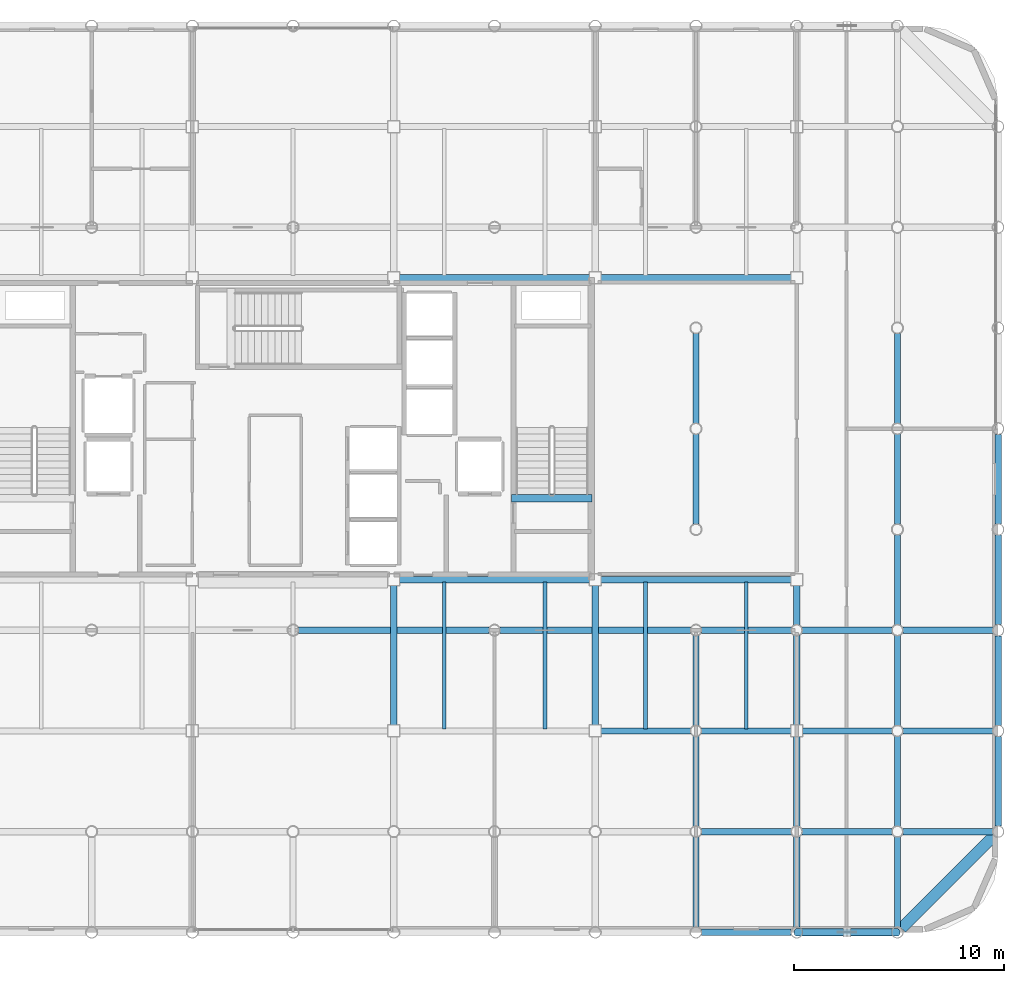
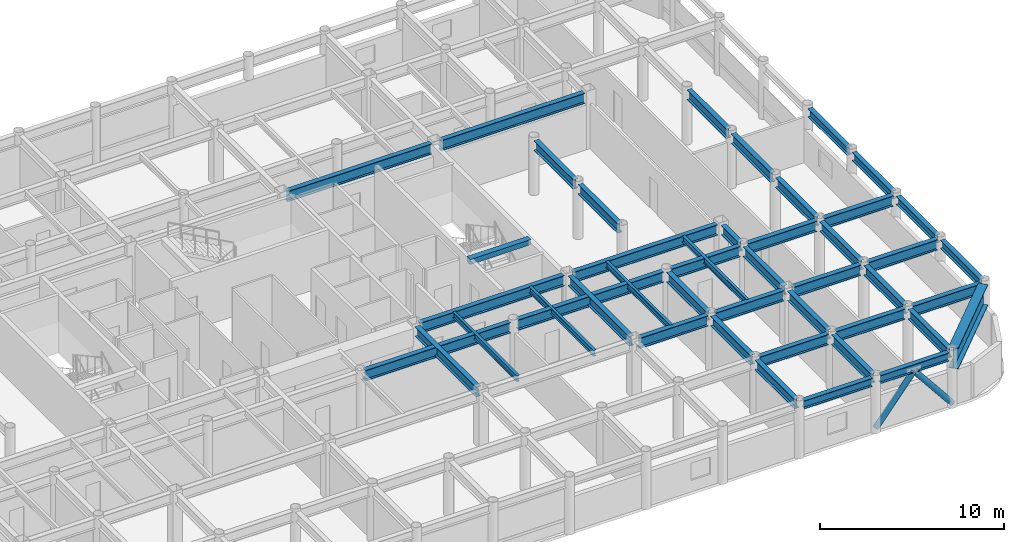
# One storey, part 9 of 21: 45 beams, 2 members.
"""IFC4 building model written with IfcOpenShell, lengths in metres."""

from ifc_helpers import new_model, si_unit, direction, frame, origin, origin_2d, place, context, subcontext, project, spatial, rectangle, hollow_circle, i_section, extrude, material, material_profile, profile_set, type_object, element, save


model = new_model("IFC4")

# Units and contexts
model_context = context("Model", 3, precision=1e-05, world=origin(), true_north=direction((0.0, 1.0)))
body_context = subcontext(model_context, "Body", "Model", "MODEL_VIEW")
ifc_project = project(units=[si_unit("LENGTHUNIT", "METRE"), si_unit("AREAUNIT", "SQUARE_METRE"), si_unit("VOLUMEUNIT", "CUBIC_METRE"), si_unit("PLANEANGLEUNIT", "RADIAN"), si_unit("MASSUNIT", "GRAM", prefix="KILO")], contexts=[model_context])

# Site, building, storey
site_placement = place(None, origin())
site = spatial("IfcSite", under=ifc_project, at=site_placement, CompositionType="ELEMENT")
building_placement = place(site_placement, origin())
building = spatial("IfcBuilding", under=site, at=building_placement, Name="Kallvorn Hotel Tower", CompositionType="ELEMENT")
storey_placement = place(building_placement, frame((0.0, 0.0, 214.60009765625)))
storey = spatial("IfcBuildingStorey", under=building, at=storey_placement, Name="L53", CompositionType="ELEMENT", Elevation=214.60009765625)

# Beams
ifc_material_1 = material(Name="Structural steel S355JR", Category="steel")
ifc_material_profile_1 = material_profile(ifc_material_1, i_section(OverallWidth=0.300048828125, OverallDepth=0.550048828125, WebThickness=0.014892578125, FlangeThickness=0.029052734375, at=origin_2d()), Name="HE 550 B")
ifc_profile_set_1 = profile_set([ifc_material_profile_1], Name="Structural steel S355JR")
beam_type_1 = type_object("IfcBeamType", Name="BM_HE550B", PredefinedType="SPANDREL", material=ifc_profile_set_1)
for number, where, z_axis, x_axis, name in (
    (1, (19.469482421875, -24.0, 3.39501953125), (1.0, 0.0, 0.0), (0.0, 1.0, 0.0), "L54 Perimeter Spandrel 160"),
    (2, (24.26953125, -24.0, 3.39501953125), (1.0, 0.0, 0.0), (0.0, 1.0, 0.0), "L54 Perimeter Spandrel 161"),
    (3, (33.60009765625, -18.930419921875, 3.39501953125), (0.0, 1.0, 0.0), (-1.0, 0.0, 0.0), "L54 Perimeter Spandrel 182"),
):
    element("IfcBeam", number, at=place(storey_placement, frame(where, z_axis=z_axis, x_axis=x_axis)), inside=storey, type_object=beam_type_1, Name=name, PredefinedType="SPANDREL", context=body_context, shape_type="SweptSolid", body=[
        extrude(i_section(OverallWidth=0.300048828125, OverallDepth=0.550048828125, WebThickness=0.014892578125, FlangeThickness=0.029052734375, at=origin_2d()), origin(), (0.0, 0.0, 1.0), 4.260986328125),
    ])
beam_1_placement = place(storey_placement, frame((33.60009765625, -14.130615234375, 3.39501953125), z_axis=(0.0, 1.0, 0.0), x_axis=(-1.0, 0.0, 0.0)))
element("IfcBeam", 4, at=beam_1_placement, inside=storey, type_object=beam_type_1, Name="L54 Perimeter Spandrel 183", PredefinedType="SPANDREL", context=body_context, shape_type="SweptSolid", body=[
    extrude(i_section(OverallWidth=0.300048828125, OverallDepth=0.550048828125, WebThickness=0.014892578125, FlangeThickness=0.029052734375, at=origin_2d()), origin(), (0.0, 0.0, 1.0), 4.26123046875),
])
for number, where, z_axis, x_axis, name in (
    (5, (33.60009765625, -9.33056640625, 3.39501953125), (0.0, 1.0, 0.0), (-1.0, 0.0, 0.0), "L54 Perimeter Spandrel 184"),
    (6, (33.60009765625, -4.530517578125, 3.39501953125), (0.0, 1.0, 0.0), (-1.0, 0.0, 0.0), "L54 Perimeter Spandrel 185"),
):
    element("IfcBeam", number, at=place(storey_placement, frame(where, z_axis=z_axis, x_axis=x_axis)), inside=storey, type_object=beam_type_1, Name=name, PredefinedType="SPANDREL", context=body_context, shape_type="SweptSolid", body=[
        extrude(i_section(OverallWidth=0.300048828125, OverallDepth=0.550048828125, WebThickness=0.014892578125, FlangeThickness=0.029052734375, at=origin_2d()), origin(), (0.0, 0.0, 1.0), 4.260986328125),
    ])
ifc_material_2 = material(Name="Structural steel S355JR", Category="steel")
ifc_material_profile_2 = material_profile(ifc_material_2, i_section(OverallWidth=0.300048828125, OverallDepth=0.64990234375, WebThickness=0.01611328125, FlangeThickness=0.031005859375, at=origin_2d()), Name="HE 650 B")
ifc_profile_set_2 = profile_set([ifc_material_profile_2], Name="Structural steel S355JR")
beam_type_2 = type_object("IfcBeamType", Name="BM_HE650B", PredefinedType="BEAM", material=ifc_profile_set_2)
for number, where, z_axis, x_axis, name in (
    (7, (4.800048828125, -14.125, 3.344970703125), (0.0, 1.0, 0.0), (-1.0, 0.0, 0.0), "L54 Primary Y-Girder 115"),
    (8, (14.39990234375, -14.125, 3.344970703125), (0.0, 1.0, 0.0), (-1.0, 0.0, 0.0), "L54 Primary Y-Girder 123"),
):
    element("IfcBeam", number, at=place(storey_placement, frame(where, z_axis=z_axis, x_axis=x_axis)), inside=storey, type_object=beam_type_2, Name=name, PredefinedType="BEAM", context=body_context, shape_type="SweptSolid", body=[
        extrude(i_section(OverallWidth=0.300048828125, OverallDepth=0.64990234375, WebThickness=0.01611328125, FlangeThickness=0.031005859375, at=origin_2d()), origin(), (0.0, 0.0, 1.0), 6.64990234375),
    ])
for number, where, z_axis, x_axis, name in (
    (9, (19.199951171875, -23.74560546875, 3.344970703125), (0.0, 1.0, 0.0), (-1.0, 0.0, 0.0), "L54 Primary Y-Girder 126"),
    (10, (19.199951171875, -18.945556640625, 3.344970703125), (0.0, 1.0, 0.0), (-1.0, 0.0, 0.0), "L54 Primary Y-Girder 127"),
    (11, (19.199951171875, -14.1455078125, 3.344970703125), (0.0, 1.0, 0.0), (-1.0, 0.0, 0.0), "L54 Primary Y-Girder 128"),
    (12, (19.199951171875, -4.54541015625, 3.344970703125), (0.0, 1.0, 0.0), (-1.0, 0.0, 0.0), "L54 Primary Y-Girder 130"),
    (13, (19.199951171875, 0.25439453125, 3.344970703125), (0.0, 1.0, 0.0), (-1.0, 0.0, 0.0), "L54 Primary Y-Girder 131"),
    (14, (24.0, -23.74560546875, 3.344970703125), (0.0, 1.0, 0.0), (-1.0, 0.0, 0.0), "L54 Primary Y-Girder 135"),
):
    element("IfcBeam", number, at=place(storey_placement, frame(where, z_axis=z_axis, x_axis=x_axis)), inside=storey, type_object=beam_type_2, Name=name, PredefinedType="BEAM", context=body_context, shape_type="SweptSolid", body=[
        extrude(i_section(OverallWidth=0.300048828125, OverallDepth=0.64990234375, WebThickness=0.01611328125, FlangeThickness=0.031005859375, at=origin_2d()), origin(), (0.0, 0.0, 1.0), 4.291015625),
    ])
for number, where, z_axis, x_axis, name in (
    (15, (24.0, -18.945556640625, 3.344970703125), (0.0, 1.0, 0.0), (-1.0, 0.0, 0.0), "L54 Primary Y-Girder 136"),
    (16, (24.0, -14.125, 3.344970703125), (0.0, 1.0, 0.0), (-1.0, 0.0, 0.0), "L54 Primary Y-Girder 137"),
):
    element("IfcBeam", number, at=place(storey_placement, frame(where, z_axis=z_axis, x_axis=x_axis)), inside=storey, type_object=beam_type_2, Name=name, PredefinedType="BEAM", context=body_context, shape_type="SweptSolid", body=[
        extrude(i_section(OverallWidth=0.300048828125, OverallDepth=0.64990234375, WebThickness=0.01611328125, FlangeThickness=0.031005859375, at=origin_2d()), origin(), (0.0, 0.0, 1.0), 4.2705078125),
    ])
beam_2_placement = place(storey_placement, frame((24.0, -9.345458984375, 3.344970703125), z_axis=(0.0, 1.0, 0.0), x_axis=(-1.0, 0.0, 0.0)))
element("IfcBeam", 17, at=beam_2_placement, inside=storey, type_object=beam_type_2, Name="L54 Primary Y-Girder 138", PredefinedType="BEAM", context=body_context, shape_type="SweptSolid", body=[
    extrude(i_section(OverallWidth=0.300048828125, OverallDepth=0.64990234375, WebThickness=0.01611328125, FlangeThickness=0.031005859375, at=origin_2d()), origin(), (0.0, 0.0, 1.0), 1.870361328125),
])
for number, where, z_axis, x_axis, name in (
    (18, (28.800048828125, -23.74560546875, 3.344970703125), (0.0, 1.0, 0.0), (-1.0, 0.0, 0.0), "L54 Primary Y-Girder 142"),
    (19, (28.800048828125, -18.945556640625, 3.344970703125), (0.0, 1.0, 0.0), (-1.0, 0.0, 0.0), "L54 Primary Y-Girder 143"),
    (20, (28.800048828125, -14.1455078125, 3.344970703125), (0.0, 1.0, 0.0), (-1.0, 0.0, 0.0), "L54 Primary Y-Girder 144"),
    (21, (28.800048828125, -9.345458984375, 3.344970703125), (0.0, 1.0, 0.0), (-1.0, 0.0, 0.0), "L54 Primary Y-Girder 145"),
    (22, (28.800048828125, -4.54541015625, 3.344970703125), (0.0, 1.0, 0.0), (-1.0, 0.0, 0.0), "L54 Primary Y-Girder 146"),
    (23, (28.800048828125, 0.25439453125, 3.344970703125), (0.0, 1.0, 0.0), (-1.0, 0.0, 0.0), "L54 Primary Y-Girder 147"),
):
    element("IfcBeam", number, at=place(storey_placement, frame(where, z_axis=z_axis, x_axis=x_axis)), inside=storey, type_object=beam_type_2, Name=name, PredefinedType="BEAM", context=body_context, shape_type="SweptSolid", body=[
        extrude(i_section(OverallWidth=0.300048828125, OverallDepth=0.64990234375, WebThickness=0.01611328125, FlangeThickness=0.031005859375, at=origin_2d()), origin(), (0.0, 0.0, 1.0), 4.291015625),
    ])
ifc_material_3 = material(Name="Structural steel S355JR", Category="steel")
ifc_material_profile_3 = material_profile(ifc_material_3, i_section(OverallWidth=0.300048828125, OverallDepth=0.699951171875, WebThickness=0.01708984375, FlangeThickness=0.031982421875, at=origin_2d()), Name="HE 700 B")
ifc_profile_set_3 = profile_set([ifc_material_profile_3], Name="Structural steel S355JR")
beam_type_3 = type_object("IfcBeamType", Name="BM_HE700B", PredefinedType="BEAM", material=ifc_profile_set_3)
for number, where, z_axis, x_axis, name in (
    (24, (19.45458984375, -19.199951171875, 3.31982421875), (1.0, 0.0, 0.0), (0.0, 1.0, 0.0), "L54 Primary X-Girder 11"),
    (25, (24.25439453125, -19.199951171875, 3.31982421875), (1.0, 0.0, 0.0), (0.0, 1.0, 0.0), "L54 Primary X-Girder 12"),
    (26, (29.054443359375, -19.199951171875, 3.31982421875), (1.0, 0.0, 0.0), (0.0, 1.0, 0.0), "L54 Primary X-Girder 13"),
):
    element("IfcBeam", number, at=place(storey_placement, frame(where, z_axis=z_axis, x_axis=x_axis)), inside=storey, type_object=beam_type_3, Name=name, PredefinedType="BEAM", context=body_context, shape_type="SweptSolid", body=[
        extrude(i_section(OverallWidth=0.300048828125, OverallDepth=0.699951171875, WebThickness=0.01708984375, FlangeThickness=0.031982421875, at=origin_2d()), origin(), (0.0, 0.0, 1.0), 4.291015625),
    ])
for number, where, z_axis, x_axis, name in (
    (27, (14.675048828125, -14.39990234375, 3.31982421875), (1.0, 0.0, 0.0), (0.0, 1.0, 0.0), "L54 Primary X-Girder 20"),
    (28, (19.45458984375, -14.39990234375, 3.31982421875), (1.0, 0.0, 0.0), (0.0, 1.0, 0.0), "L54 Primary X-Girder 21"),
    (29, (24.27490234375, -14.39990234375, 3.31982421875), (1.0, 0.0, 0.0), (0.0, 1.0, 0.0), "L54 Primary X-Girder 22"),
):
    element("IfcBeam", number, at=place(storey_placement, frame(where, z_axis=z_axis, x_axis=x_axis)), inside=storey, type_object=beam_type_3, Name=name, PredefinedType="BEAM", context=body_context, shape_type="SweptSolid", body=[
        extrude(i_section(OverallWidth=0.300048828125, OverallDepth=0.699951171875, WebThickness=0.01708984375, FlangeThickness=0.031982421875, at=origin_2d()), origin(), (0.0, 0.0, 1.0), 4.2705078125),
    ])
beam_3_placement = place(storey_placement, frame((29.054443359375, -14.39990234375, 3.31982421875), z_axis=(1.0, 0.0, 0.0), x_axis=(0.0, 1.0, 0.0)))
element("IfcBeam", 30, at=beam_3_placement, inside=storey, type_object=beam_type_3, Name="L54 Primary X-Girder 23", PredefinedType="BEAM", context=body_context, shape_type="SweptSolid", body=[
    extrude(i_section(OverallWidth=0.300048828125, OverallDepth=0.699951171875, WebThickness=0.01708984375, FlangeThickness=0.031982421875, at=origin_2d()), origin(), (0.0, 0.0, 1.0), 4.291015625),
])
for number, where, z_axis, x_axis, name in (
    (31, (0.25439453125, -9.60009765625, 3.31982421875), (1.0, 0.0, 0.0), (0.0, 1.0, 0.0), "L54 Primary X-Girder 28"),
    (32, (9.8544921875, -9.60009765625, 3.31982421875), (1.0, 0.0, 0.0), (0.0, 1.0, 0.0), "L54 Primary X-Girder 29"),
):
    element("IfcBeam", number, at=place(storey_placement, frame(where, z_axis=z_axis, x_axis=x_axis)), inside=storey, type_object=beam_type_3, Name=name, PredefinedType="BEAM", context=body_context, shape_type="SweptSolid", body=[
        extrude(i_section(OverallWidth=0.300048828125, OverallDepth=0.699951171875, WebThickness=0.01708984375, FlangeThickness=0.031982421875, at=origin_2d()), origin(), (0.0, 0.0, 1.0), 9.091064453125),
    ])
for number, where, z_axis, x_axis, name in (
    (33, (19.45458984375, -9.60009765625, 3.31982421875), (1.0, 0.0, 0.0), (0.0, 1.0, 0.0), "L54 Primary X-Girder 30"),
    (34, (24.25439453125, -9.60009765625, 3.31982421875), (1.0, 0.0, 0.0), (0.0, 1.0, 0.0), "L54 Primary X-Girder 31"),
    (35, (29.054443359375, -9.60009765625, 3.31982421875), (1.0, 0.0, 0.0), (0.0, 1.0, 0.0), "L54 Primary X-Girder 32"),
):
    element("IfcBeam", number, at=place(storey_placement, frame(where, z_axis=z_axis, x_axis=x_axis)), inside=storey, type_object=beam_type_3, Name=name, PredefinedType="BEAM", context=body_context, shape_type="SweptSolid", body=[
        extrude(i_section(OverallWidth=0.300048828125, OverallDepth=0.699951171875, WebThickness=0.01708984375, FlangeThickness=0.031982421875, at=origin_2d()), origin(), (0.0, 0.0, 1.0), 4.291015625),
    ])
for number, where, z_axis, x_axis, name in (
    (36, (5.074951171875, -7.199951171875, 3.31982421875), (1.0, 0.0, 0.0), (0.0, 1.0, 0.0), "L54 Primary X-Girder 35"),
    (37, (14.675048828125, -7.199951171875, 3.31982421875), (1.0, 0.0, 0.0), (0.0, 1.0, 0.0), "L54 Primary X-Girder 36"),
    (38, (5.074951171875, 7.199951171875, 3.31982421875), (1.0, 0.0, 0.0), (0.0, 1.0, 0.0), "L54 Primary X-Girder 40"),
    (39, (14.675048828125, 7.199951171875, 3.31982421875), (1.0, 0.0, 0.0), (0.0, 1.0, 0.0), "L54 Primary X-Girder 41"),
):
    element("IfcBeam", number, at=place(storey_placement, frame(where, z_axis=z_axis, x_axis=x_axis)), inside=storey, type_object=beam_type_3, Name=name, PredefinedType="BEAM", context=body_context, shape_type="SweptSolid", body=[
        extrude(i_section(OverallWidth=0.300048828125, OverallDepth=0.699951171875, WebThickness=0.01708984375, FlangeThickness=0.031982421875, at=origin_2d()), origin(), (0.0, 0.0, 1.0), 9.050048828125),
    ])
ifc_material_4 = material(Name="Structural steel S355JR", Category="steel")
ifc_material_profile_4 = material_profile(ifc_material_4, i_section(OverallWidth=0.179931640625, OverallDepth=0.39990234375, WebThickness=0.008544921875, FlangeThickness=0.013427734375, at=origin_2d()), Name="IPE 400")
ifc_profile_set_4 = profile_set([ifc_material_profile_4], Name="Structural steel S355JR")
beam_type_4 = type_object("IfcBeamType", Name="BM_IPE400", PredefinedType="JOIST", material=ifc_profile_set_4)
for number, where, z_axis, x_axis, name in (
    (40, (7.199951171875, -14.300048828125, 3.469970703125), (0.0, 1.0, 0.0), (-1.0, 0.0, 0.0), "L54 Secondary Composite Joist 202"),
    (41, (12.0, -14.300048828125, 3.469970703125), (0.0, 1.0, 0.0), (-1.0, 0.0, 0.0), "L54 Secondary Composite Joist 204"),
    (42, (16.800048828125, -14.300048828125, 3.469970703125), (0.0, 1.0, 0.0), (-1.0, 0.0, 0.0), "L54 Secondary Composite Joist 206"),
    (43, (21.60009765625, -14.300048828125, 3.469970703125), (0.0, 1.0, 0.0), (-1.0, 0.0, 0.0), "L54 Secondary Composite Joist 208"),
):
    element("IfcBeam", number, at=place(storey_placement, frame(where, z_axis=z_axis, x_axis=x_axis)), inside=storey, type_object=beam_type_4, Name=name, PredefinedType="JOIST", context=body_context, shape_type="SweptSolid", body=[
        extrude(i_section(OverallWidth=0.179931640625, OverallDepth=0.39990234375, WebThickness=0.008544921875, FlangeThickness=0.013427734375, at=origin_2d()), origin(), (0.0, 0.0, 1.0), 7.0),
    ])
ifc_material_5 = material(Name="Structural steel S355JR", Category="steel")
ifc_material_profile_5 = material_profile(ifc_material_5, i_section(OverallWidth=0.550048828125, OverallDepth=1.39990234375, WebThickness=0.02490234375, FlangeThickness=0.044921875, at=origin_2d()), Name="PG 1400x550x25x45")
ifc_profile_set_5 = profile_set([ifc_material_profile_5], Name="Structural steel S355JR")
beam_type_5 = type_object("IfcBeamType", Name="BM_PG_1400", PredefinedType="BEAM", material=ifc_profile_set_5)
beam_4_placement = place(storey_placement, frame((33.409423828125, -19.390625, 2.969970703125), z_axis=(-0.707126314793, -0.707087247041, 0.0), x_axis=(0.707087247041, -0.707126314793, 0.0)))
element("IfcBeam", 44, at=beam_4_placement, inside=storey, type_object=beam_type_5, Name="L54 Rounded Corner Tie Beam 190", PredefinedType="BEAM", context=body_context, shape_type="SweptSolid", body=[
    extrude(i_section(OverallWidth=0.550048828125, OverallDepth=1.39990234375, WebThickness=0.02490234375, FlangeThickness=0.044921875, at=origin_2d()), origin(), (0.0, 0.0, 1.0), 6.249267578125),
])
ifc_material_6 = material(Name="Concrete C50/60", Category="concrete")
ifc_material_profile_6 = material_profile(ifc_material_6, rectangle(XDim=0.360107421875, YDim=0.340087890625, at=origin_2d()), Name="RC 360x340")
ifc_profile_set_6 = profile_set([ifc_material_profile_6], Name="Concrete C50/60")
beam_type_6 = type_object("IfcBeamType", Name="BM_RC_400x360", PredefinedType="BEAM", material=ifc_profile_set_6)
beam_5_placement = place(storey_placement, frame((14.239990234375, -3.31005859375, 3.5), z_axis=(-1.0, 0.0, 0.0), x_axis=(0.0, -1.0, 0.0)))
element("IfcBeam", 45, at=beam_5_placement, inside=storey, type_object=beam_type_6, Name="L54 Stair ST2 Arrival Trimmer Beam", PredefinedType="BEAM", context=body_context, shape_type="SweptSolid", body=[
    extrude(rectangle(XDim=0.360107421875, YDim=0.340087890625, at=origin_2d()), origin(), (0.0, 0.0, 1.0), 3.820068359375),
])

# Members
ifc_material_7 = material(Name="Structural steel S355J2H", Category="steel")
ifc_material_profile_7 = material_profile(ifc_material_7, hollow_circle(Radius=0.177734375, WallThickness=0.01416015625, at=origin_2d()), Name="CHS 355.6x14.2")
ifc_profile_set_7 = profile_set([ifc_material_profile_7], Name="Structural steel S355J2H")
member_type = type_object("IfcMemberType", Name="MBR_EXO_CHS355", PredefinedType="BRACE", material=ifc_profile_set_7)
for number, where, z_axis, x_axis, name in (
    (46, (24.012451171875, -24.0, 0.195556640625), (0.627270878626, 0.0, 0.778801158722), (0.0, 1.0, 0.0), "L53 Exoskeleton K-Brace S2A"),
    (47, (28.78759765625, -24.0, 0.195556640625), (-0.627270878626, 0.0, 0.778801158722), (0.0, -1.0, 0.0), "L53 Exoskeleton K-Brace S2B"),
):
    element("IfcMember", number, at=place(storey_placement, frame(where, z_axis=z_axis, x_axis=x_axis)), inside=storey, type_object=member_type, Name=name, PredefinedType="BRACE", context=body_context, shape_type="SweptSolid", body=[
        extrude(hollow_circle(Radius=0.177734375, WallThickness=0.01416015625, at=origin_2d()), origin(), (0.0, 0.0, 1.0), 3.7861328125),
    ])

save(model, "model.ifc")
